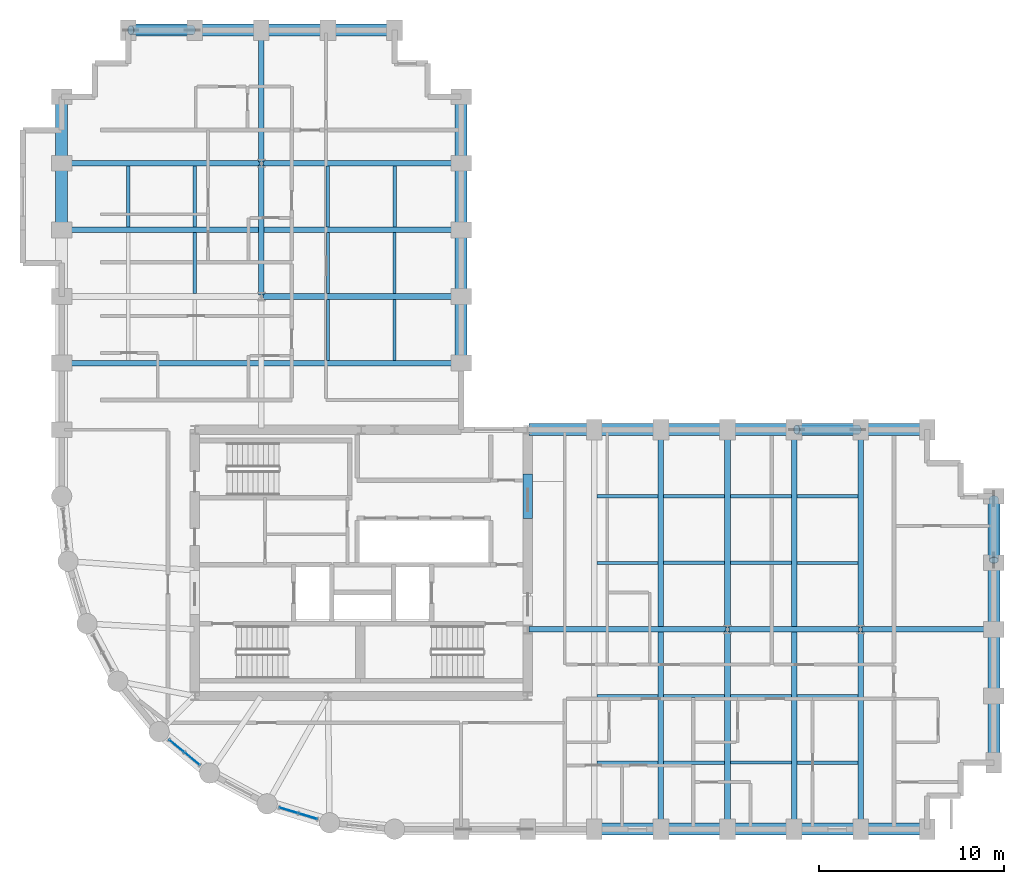
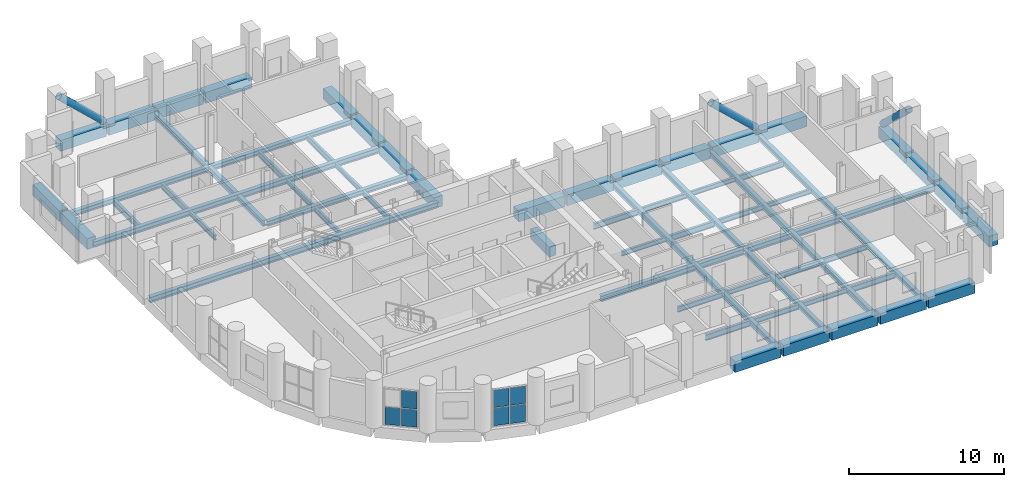
# One storey, part 6 of 13: 67 beams, 7 plates, 3 members, 2 elements without a shape of their own.
"""IFC4 building model written with IfcOpenShell, lengths in metres."""

from ifc_helpers import new_model, si_unit, direction, frame, origin, origin_2d, place, context, subcontext, project, spatial, rectangle, hollow_circle, i_section, extrude, material, layer, layer_set, material_profile, profile_set, type_object, element, aggregate, save


model = new_model("IFC4")

# Units and contexts
model_context = context("Model", 3, precision=1e-05, world=origin(), true_north=direction((0.0, 1.0)))
body_context = subcontext(model_context, "Body", "Model", "MODEL_VIEW")
ifc_project = project(units=[si_unit("LENGTHUNIT", "METRE"), si_unit("AREAUNIT", "SQUARE_METRE"), si_unit("VOLUMEUNIT", "CUBIC_METRE"), si_unit("PLANEANGLEUNIT", "RADIAN"), si_unit("MASSUNIT", "GRAM", prefix="KILO")], contexts=[model_context])

# Site, building, storey
site_placement = place(None, origin())
site = spatial("IfcSite", under=ifc_project, at=site_placement, CompositionType="ELEMENT")
building_placement = place(site_placement, origin())
building = spatial("IfcBuilding", under=site, at=building_placement, Name="Solnavia Interchange Tower", CompositionType="ELEMENT")
storey_placement = place(building_placement, frame((0.0, 0.0, 123.800048828125)))
storey = spatial("IfcBuildingStorey", under=building, at=storey_placement, Name="L30", CompositionType="ELEMENT", Elevation=123.800048828125)

# Beams
ifc_material_1 = material(Name="Concrete C50/60", Category="concrete")
ifc_material_profile_1 = material_profile(ifc_material_1, rectangle(XDim=0.5, YDim=0.800048828125, at=origin_2d()), Name="RC 500x800")
ifc_profile_set_1 = profile_set([ifc_material_profile_1], Name="Concrete C50/60")
beam_type_1 = type_object("IfcBeamType", Name="Beam-Coupling-RC500x800", PredefinedType="LINTEL", material=ifc_profile_set_1)
beam_1_placement = place(storey_placement, frame((32.39990234375, 20.39990234375, -0.400146484375), z_axis=(0.0, 1.0, 0.0), x_axis=(-1.0, 0.0, 0.0)))
element("IfcBeam", 1, at=beam_1_placement, inside=storey, type_object=beam_type_1, Name="CPB-L30-E2 Core coupling lintel beam", PredefinedType="LINTEL", context=body_context, shape_type="SweptSolid", body=[
    extrude(rectangle(XDim=0.5, YDim=0.800048828125, at=origin_2d()), origin(), (0.0, 0.0, 1.0), 2.400146484375),
])
ifc_material_2 = material(Name="Steel S460", Category="steel")
ifc_material_profile_2 = material_profile(ifc_material_2, i_section(OverallWidth=0.300048828125, OverallDepth=0.449951171875, WebThickness=0.013916015625, FlangeThickness=0.02587890625, FilletRadius=0.027099609375, at=origin_2d()), Name="HEB 450")
ifc_profile_set_2 = profile_set([ifc_material_profile_2], Name="Steel S460")
beam_type_2 = type_object("IfcBeamType", Name="Beam-Girder-HEB450", PredefinedType="BEAM", material=ifc_profile_set_2)
beam_2_placement = place(storey_placement, frame((32.47998046875, 14.39990234375, -0.47509765625), z_axis=(1.0, 0.0, 0.0), x_axis=(0.0, 1.0, 0.0)))
element("IfcBeam", 2, at=beam_2_placement, inside=storey, type_object=beam_type_2, Name="GRD-L30-ES01 East wing spine girder", PredefinedType="BEAM", context=body_context, shape_type="SweptSolid", body=[
    extrude(i_section(OverallWidth=0.300048828125, OverallDepth=0.449951171875, WebThickness=0.013916015625, FlangeThickness=0.02587890625, FilletRadius=0.027099609375, at=origin_2d()), origin(), (0.0, 0.0, 1.0), 10.64013671875),
])
for number, where, z_axis, x_axis, name in (
    (3, (43.280029296875, 14.39990234375, -0.47509765625), (1.0, 0.0, 0.0), (0.0, 1.0, 0.0), "GRD-L30-ES02 East wing spine girder"),
    (4, (50.47998046875, 14.39990234375, -0.47509765625), (1.0, 0.0, 0.0), (0.0, 1.0, 0.0), "GRD-L30-ES03 East wing spine girder"),
    (5, (18.0, 32.47998046875, -0.47509765625), (0.0, 1.0, 0.0), (-1.0, 0.0, 0.0), "GRD-L30-NS12 North wing spine girder"),
    (6, (18.0, 39.679931640625, -0.47509765625), (0.0, 1.0, 0.0), (-1.0, 0.0, 0.0), "GRD-L30-NS13 North wing spine girder"),
):
    element("IfcBeam", number, at=place(storey_placement, frame(where, z_axis=z_axis, x_axis=x_axis)), inside=storey, type_object=beam_type_2, Name=name, PredefinedType="BEAM", context=body_context, shape_type="SweptSolid", body=[
        extrude(i_section(OverallWidth=0.300048828125, OverallDepth=0.449951171875, WebThickness=0.013916015625, FlangeThickness=0.02587890625, FilletRadius=0.027099609375, at=origin_2d()), origin(), (0.0, 0.0, 1.0), 7.0400390625),
    ])
ifc_material_3 = material(Name="Steel S355", Category="steel")
ifc_material_profile_3 = material_profile(ifc_material_3, i_section(OverallWidth=0.169921875, OverallDepth=0.360107421875, WebThickness=0.008056640625, FlangeThickness=0.0126953125, FilletRadius=0.01806640625, at=origin_2d()), Name="IPE 360")
ifc_profile_set_3 = profile_set([ifc_material_profile_3], Name="Steel S355")
beam_type_3 = type_object("IfcBeamType", Name="Beam-Joist-IPE360", PredefinedType="JOIST", material=ifc_profile_set_3)
beam_3_placement = place(storey_placement, frame((43.35009765625, 7.199951171875, -0.429931640625), z_axis=(1.0, 0.0, 0.0), x_axis=(0.0, 1.0, 0.0)))
element("IfcBeam", 7, at=beam_3_placement, inside=storey, type_object=beam_type_3, Name="JST-L30-E03 East wing secondary joist", PredefinedType="JOIST", context=body_context, shape_type="SweptSolid", body=[
    extrude(i_section(OverallWidth=0.169921875, OverallDepth=0.360107421875, WebThickness=0.008056640625, FlangeThickness=0.0126953125, FilletRadius=0.01806640625, at=origin_2d()), origin(), (0.0, 0.0, 1.0), 3.2998046875),
])
for number, where, z_axis, x_axis, name in (
    (8, (39.75, 10.800048828125, -0.429931640625), (1.0, 0.0, 0.0), (0.0, 1.0, 0.0), "JST-L30-E06 East wing secondary joist"),
    (9, (36.14990234375, 18.0, -0.429931640625), (1.0, 0.0, 0.0), (0.0, 1.0, 0.0), "JST-L30-E09 East wing secondary joist"),
    (10, (46.949951171875, 18.0, -0.429931640625), (1.0, 0.0, 0.0), (0.0, 1.0, 0.0), "JST-L30-E12 East wing secondary joist"),
):
    element("IfcBeam", number, at=place(storey_placement, frame(where, z_axis=z_axis, x_axis=x_axis)), inside=storey, type_object=beam_type_3, Name=name, PredefinedType="JOIST", context=body_context, shape_type="SweptSolid", body=[
        extrude(i_section(OverallWidth=0.169921875, OverallDepth=0.360107421875, WebThickness=0.008056640625, FlangeThickness=0.0126953125, FilletRadius=0.01806640625, at=origin_2d()), origin(), (0.0, 0.0, 1.0), 3.300048828125),
    ])
beam_4_placement = place(storey_placement, frame((43.35009765625, 21.60009765625, -0.429931640625), z_axis=(1.0, 0.0, 0.0), x_axis=(0.0, 1.0, 0.0)))
element("IfcBeam", 11, at=beam_4_placement, inside=storey, type_object=beam_type_3, Name="JST-L30-E15 East wing secondary joist", PredefinedType="JOIST", context=body_context, shape_type="SweptSolid", body=[
    extrude(i_section(OverallWidth=0.169921875, OverallDepth=0.360107421875, WebThickness=0.008056640625, FlangeThickness=0.0126953125, FilletRadius=0.01806640625, at=origin_2d()), origin(), (0.0, 0.0, 1.0), 3.2998046875),
])
for number, where, z_axis, x_axis, name in (
    (12, (14.39990234375, 32.550048828125, -0.429931640625), (0.0, 1.0, 0.0), (-1.0, 0.0, 0.0), "JST-L30-N21 North wing secondary joist"),
    (13, (21.60009765625, 32.550048828125, -0.429931640625), (0.0, 1.0, 0.0), (-1.0, 0.0, 0.0), "JST-L30-N24 North wing secondary joist"),
    (14, (25.199951171875, 32.550048828125, -0.429931640625), (0.0, 1.0, 0.0), (-1.0, 0.0, 0.0), "JST-L30-N27 North wing secondary joist"),
):
    element("IfcBeam", number, at=place(storey_placement, frame(where, z_axis=z_axis, x_axis=x_axis)), inside=storey, type_object=beam_type_3, Name=name, PredefinedType="JOIST", context=body_context, shape_type="SweptSolid", body=[
        extrude(i_section(OverallWidth=0.169921875, OverallDepth=0.360107421875, WebThickness=0.008056640625, FlangeThickness=0.0126953125, FilletRadius=0.01806640625, at=origin_2d()), origin(), (0.0, 0.0, 1.0), 3.300048828125),
    ])
ifc_material_profile_4 = material_profile(ifc_material_3, i_section(OverallWidth=0.179931640625, OverallDepth=0.39990234375, WebThickness=0.008544921875, FlangeThickness=0.013427734375, FilletRadius=0.02099609375, at=origin_2d()), Name="IPE 400")
ifc_profile_set_4 = profile_set([ifc_material_profile_4], Name="Steel S355")
beam_type_4 = type_object("IfcBeamType", Name="Beam-Joist-IPE400", PredefinedType="JOIST", material=ifc_profile_set_4)
for number, where, z_axis, x_axis, name in (
    (15, (39.75, 7.199951171875, -0.449951171875), (1.0, 0.0, 0.0), (0.0, 1.0, 0.0), "JST-L30-E02 East wing secondary joist"),
    (16, (36.14990234375, 10.800048828125, -0.449951171875), (1.0, 0.0, 0.0), (0.0, 1.0, 0.0), "JST-L30-E05 East wing secondary joist"),
    (17, (46.949951171875, 10.800048828125, -0.449951171875), (1.0, 0.0, 0.0), (0.0, 1.0, 0.0), "JST-L30-E08 East wing secondary joist"),
):
    element("IfcBeam", number, at=place(storey_placement, frame(where, z_axis=z_axis, x_axis=x_axis)), inside=storey, type_object=beam_type_4, Name=name, PredefinedType="JOIST", context=body_context, shape_type="SweptSolid", body=[
        extrude(i_section(OverallWidth=0.179931640625, OverallDepth=0.39990234375, WebThickness=0.008544921875, FlangeThickness=0.013427734375, FilletRadius=0.02099609375, at=origin_2d()), origin(), (0.0, 0.0, 1.0), 3.300048828125),
    ])
beam_5_placement = place(storey_placement, frame((43.35009765625, 18.0, -0.449951171875), z_axis=(1.0, 0.0, 0.0), x_axis=(0.0, 1.0, 0.0)))
element("IfcBeam", 18, at=beam_5_placement, inside=storey, type_object=beam_type_4, Name="JST-L30-E11 East wing secondary joist", PredefinedType="JOIST", context=body_context, shape_type="SweptSolid", body=[
    extrude(i_section(OverallWidth=0.179931640625, OverallDepth=0.39990234375, WebThickness=0.008544921875, FlangeThickness=0.013427734375, FilletRadius=0.02099609375, at=origin_2d()), origin(), (0.0, 0.0, 1.0), 3.2998046875),
])
for number, where, z_axis, x_axis, name in (
    (19, (39.75, 21.60009765625, -0.449951171875), (1.0, 0.0, 0.0), (0.0, 1.0, 0.0), "JST-L30-E14 East wing secondary joist"),
    (20, (21.60009765625, 28.949951171875, -0.449951171875), (0.0, 1.0, 0.0), (-1.0, 0.0, 0.0), "JST-L30-N23 North wing secondary joist"),
    (21, (25.199951171875, 28.949951171875, -0.449951171875), (0.0, 1.0, 0.0), (-1.0, 0.0, 0.0), "JST-L30-N26 North wing secondary joist"),
):
    element("IfcBeam", number, at=place(storey_placement, frame(where, z_axis=z_axis, x_axis=x_axis)), inside=storey, type_object=beam_type_4, Name=name, PredefinedType="JOIST", context=body_context, shape_type="SweptSolid", body=[
        extrude(i_section(OverallWidth=0.179931640625, OverallDepth=0.39990234375, WebThickness=0.008544921875, FlangeThickness=0.013427734375, FilletRadius=0.02099609375, at=origin_2d()), origin(), (0.0, 0.0, 1.0), 3.300048828125),
    ])
ifc_material_profile_5 = material_profile(ifc_material_3, i_section(OverallWidth=0.18994140625, OverallDepth=0.449951171875, WebThickness=0.009521484375, FlangeThickness=0.0146484375, FilletRadius=0.02099609375, at=origin_2d()), Name="IPE 450")
ifc_profile_set_5 = profile_set([ifc_material_profile_5], Name="Steel S355")
beam_type_5 = type_object("IfcBeamType", Name="Beam-Joist-IPE450", PredefinedType="JOIST", material=ifc_profile_set_5)
for number, where, z_axis, x_axis, name in (
    (22, (36.14990234375, 7.199951171875, -0.47509765625), (1.0, 0.0, 0.0), (0.0, 1.0, 0.0), "JST-L30-E01 East wing secondary joist"),
    (23, (46.949951171875, 7.199951171875, -0.47509765625), (1.0, 0.0, 0.0), (0.0, 1.0, 0.0), "JST-L30-E04 East wing secondary joist"),
):
    element("IfcBeam", number, at=place(storey_placement, frame(where, z_axis=z_axis, x_axis=x_axis)), inside=storey, type_object=beam_type_5, Name=name, PredefinedType="JOIST", context=body_context, shape_type="SweptSolid", body=[
        extrude(i_section(OverallWidth=0.18994140625, OverallDepth=0.449951171875, WebThickness=0.009521484375, FlangeThickness=0.0146484375, FilletRadius=0.02099609375, at=origin_2d()), origin(), (0.0, 0.0, 1.0), 3.300048828125),
    ])
beam_6_placement = place(storey_placement, frame((43.35009765625, 10.800048828125, -0.47509765625), z_axis=(1.0, 0.0, 0.0), x_axis=(0.0, 1.0, 0.0)))
element("IfcBeam", 24, at=beam_6_placement, inside=storey, type_object=beam_type_5, Name="JST-L30-E07 East wing secondary joist", PredefinedType="JOIST", context=body_context, shape_type="SweptSolid", body=[
    extrude(i_section(OverallWidth=0.18994140625, OverallDepth=0.449951171875, WebThickness=0.009521484375, FlangeThickness=0.0146484375, FilletRadius=0.02099609375, at=origin_2d()), origin(), (0.0, 0.0, 1.0), 3.2998046875),
])
for number, where, z_axis, x_axis, name in (
    (25, (39.75, 18.0, -0.47509765625), (1.0, 0.0, 0.0), (0.0, 1.0, 0.0), "JST-L30-E10 East wing secondary joist"),
    (26, (36.14990234375, 21.60009765625, -0.47509765625), (1.0, 0.0, 0.0), (0.0, 1.0, 0.0), "JST-L30-E13 East wing secondary joist"),
    (27, (46.949951171875, 21.60009765625, -0.47509765625), (1.0, 0.0, 0.0), (0.0, 1.0, 0.0), "JST-L30-E16 East wing secondary joist"),
    (28, (10.800048828125, 36.14990234375, -0.47509765625), (0.0, 1.0, 0.0), (-1.0, 0.0, 0.0), "JST-L30-N19 North wing secondary joist"),
    (29, (14.39990234375, 36.14990234375, -0.47509765625), (0.0, 1.0, 0.0), (-1.0, 0.0, 0.0), "JST-L30-N22 North wing secondary joist"),
    (30, (21.60009765625, 36.14990234375, -0.47509765625), (0.0, 1.0, 0.0), (-1.0, 0.0, 0.0), "JST-L30-N25 North wing secondary joist"),
    (31, (25.199951171875, 36.14990234375, -0.47509765625), (0.0, 1.0, 0.0), (-1.0, 0.0, 0.0), "JST-L30-N28 North wing secondary joist"),
):
    element("IfcBeam", number, at=place(storey_placement, frame(where, z_axis=z_axis, x_axis=x_axis)), inside=storey, type_object=beam_type_5, Name=name, PredefinedType="JOIST", context=body_context, shape_type="SweptSolid", body=[
        extrude(i_section(OverallWidth=0.18994140625, OverallDepth=0.449951171875, WebThickness=0.009521484375, FlangeThickness=0.0146484375, FilletRadius=0.02099609375, at=origin_2d()), origin(), (0.0, 0.0, 1.0), 3.300048828125),
    ])
ifc_material_profile_6 = material_profile(ifc_material_3, i_section(OverallWidth=0.300048828125, OverallDepth=0.389892578125, WebThickness=0.010986328125, FlangeThickness=0.01904296875, FilletRadius=0.027099609375, at=origin_2d()), Name="HEA 400")
ifc_profile_set_6 = profile_set([ifc_material_profile_6], Name="Steel S355")
beam_type_6 = type_object("IfcBeamType", Name="Beam-Primary-HEA400", PredefinedType="BEAM", material=ifc_profile_set_6)
for number, where, z_axis, x_axis, name in (
    (32, (43.199951171875, 3.679931640625, -0.445068359375), (0.0, 1.0, 0.0), (-1.0, 0.0, 0.0), "GRD-L30-EW06 East wing primary floor girder"),
    (33, (43.199951171875, 14.47998046875, -0.445068359375), (0.0, 1.0, 0.0), (-1.0, 0.0, 0.0), "GRD-L30-EW07 East wing primary floor girder"),
    (34, (50.39990234375, 3.679931640625, -0.445068359375), (0.0, 1.0, 0.0), (-1.0, 0.0, 0.0), "GRD-L30-EW09 East wing primary floor girder"),
    (35, (50.39990234375, 14.47998046875, -0.445068359375), (0.0, 1.0, 0.0), (-1.0, 0.0, 0.0), "GRD-L30-EW10 East wing primary floor girder"),
):
    element("IfcBeam", number, at=place(storey_placement, frame(where, z_axis=z_axis, x_axis=x_axis)), inside=storey, type_object=beam_type_6, Name=name, PredefinedType="BEAM", context=body_context, shape_type="SweptSolid", body=[
        extrude(i_section(OverallWidth=0.300048828125, OverallDepth=0.389892578125, WebThickness=0.010986328125, FlangeThickness=0.01904296875, FilletRadius=0.027099609375, at=origin_2d()), origin(), (0.0, 0.0, 1.0), 10.64013671875),
    ])
for number, where, z_axis, x_axis, name in (
    (36, (18.080078125, 32.39990234375, -0.445068359375), (1.0, 0.0, 0.0), (0.0, 1.0, 0.0), "GRD-L30-NW16 North wing primary floor girder"),
    (37, (7.280029296875, 39.60009765625, -0.445068359375), (1.0, 0.0, 0.0), (0.0, 1.0, 0.0), "GRD-L30-NW18 North wing primary floor girder"),
    (38, (18.080078125, 39.60009765625, -0.445068359375), (1.0, 0.0, 0.0), (0.0, 1.0, 0.0), "GRD-L30-NW19 North wing primary floor girder"),
):
    element("IfcBeam", number, at=place(storey_placement, frame(where, z_axis=z_axis, x_axis=x_axis)), inside=storey, type_object=beam_type_6, Name=name, PredefinedType="BEAM", context=body_context, shape_type="SweptSolid", body=[
        extrude(i_section(OverallWidth=0.300048828125, OverallDepth=0.389892578125, WebThickness=0.010986328125, FlangeThickness=0.01904296875, FilletRadius=0.027099609375, at=origin_2d()), origin(), (0.0, 0.0, 1.0), 10.639892578125),
    ])
ifc_material_profile_7 = material_profile(ifc_material_3, i_section(OverallWidth=0.300048828125, OverallDepth=0.43994140625, WebThickness=0.011474609375, FlangeThickness=0.02099609375, FilletRadius=0.027099609375, at=origin_2d()), Name="HEA 450")
ifc_profile_set_7 = profile_set([ifc_material_profile_7], Name="Steel S355")
beam_type_7 = type_object("IfcBeamType", Name="Beam-Primary-HEA450", PredefinedType="BEAM", material=ifc_profile_set_7)
for number, where, z_axis, x_axis, name in (
    (39, (39.60009765625, 3.679931640625, -0.469970703125), (0.0, 1.0, 0.0), (-1.0, 0.0, 0.0), "GRD-L30-EW05 East wing primary floor girder"),
    (40, (46.800048828125, 3.679931640625, -0.469970703125), (0.0, 1.0, 0.0), (-1.0, 0.0, 0.0), "GRD-L30-EW08 East wing primary floor girder"),
):
    element("IfcBeam", number, at=place(storey_placement, frame(where, z_axis=z_axis, x_axis=x_axis)), inside=storey, type_object=beam_type_7, Name=name, PredefinedType="BEAM", context=body_context, shape_type="SweptSolid", body=[
        extrude(i_section(OverallWidth=0.300048828125, OverallDepth=0.43994140625, WebThickness=0.011474609375, FlangeThickness=0.02099609375, FilletRadius=0.027099609375, at=origin_2d()), origin(), (0.0, 0.0, 1.0), 21.440185546875),
    ])
for number, where, z_axis, x_axis, name in (
    (41, (7.280029296875, 28.800048828125, -0.469970703125), (1.0, 0.0, 0.0), (0.0, 1.0, 0.0), "GRD-L30-NW14 North wing primary floor girder"),
    (42, (7.280029296875, 36.0, -0.469970703125), (1.0, 0.0, 0.0), (0.0, 1.0, 0.0), "GRD-L30-NW17 North wing primary floor girder"),
):
    element("IfcBeam", number, at=place(storey_placement, frame(where, z_axis=z_axis, x_axis=x_axis)), inside=storey, type_object=beam_type_7, Name=name, PredefinedType="BEAM", context=body_context, shape_type="SweptSolid", body=[
        extrude(i_section(OverallWidth=0.300048828125, OverallDepth=0.43994140625, WebThickness=0.011474609375, FlangeThickness=0.02099609375, FilletRadius=0.027099609375, at=origin_2d()), origin(), (0.0, 0.0, 1.0), 21.43994140625),
    ])
ifc_material_profile_8 = material_profile(ifc_material_1, rectangle(XDim=0.64990234375, YDim=0.85009765625, at=origin_2d()), Name="RC 650x850")
ifc_profile_set_8 = profile_set([ifc_material_profile_8], Name="Concrete C50/60")
beam_type_8 = type_object("IfcBeamType", Name="Beam-Spandrel-RC650x850", PredefinedType="SPANDREL", material=ifc_profile_set_8)
beam_7_placement = place(storey_placement, frame((36.080078125, 3.60009765625, -0.425048828125), z_axis=(1.0, 0.0, 0.0), x_axis=(0.0, 1.0, 0.0)))
element("IfcBeam", 43, at=beam_7_placement, inside=storey, type_object=beam_type_8, Name="SPB-L30-12 Framed-tube perimeter spandrel beam", PredefinedType="SPANDREL", context=body_context, shape_type="SweptSolid", body=[
    extrude(rectangle(XDim=0.64990234375, YDim=0.85009765625, at=origin_2d()), origin(), (0.0, 0.0, 1.0), 3.43994140625),
])
beam_8_placement = place(storey_placement, frame((39.679931640625, 3.60009765625, -0.425048828125), z_axis=(1.0, 0.0, 0.0), x_axis=(0.0, 1.0, 0.0)))
element("IfcBeam", 44, at=beam_8_placement, inside=storey, type_object=beam_type_8, Name="SPB-L30-13 Framed-tube perimeter spandrel beam", PredefinedType="SPANDREL", context=body_context, shape_type="SweptSolid", body=[
    extrude(rectangle(XDim=0.64990234375, YDim=0.85009765625, at=origin_2d()), origin(), (0.0, 0.0, 1.0), 3.440185546875),
])
beam_9_placement = place(storey_placement, frame((43.280029296875, 3.60009765625, -0.425048828125), z_axis=(1.0, 0.0, 0.0), x_axis=(0.0, 1.0, 0.0)))
element("IfcBeam", 45, at=beam_9_placement, inside=storey, type_object=beam_type_8, Name="SPB-L30-14 Framed-tube perimeter spandrel beam", PredefinedType="SPANDREL", context=body_context, shape_type="SweptSolid", body=[
    extrude(rectangle(XDim=0.64990234375, YDim=0.85009765625, at=origin_2d()), origin(), (0.0, 0.0, 1.0), 3.43994140625),
])
beam_10_placement = place(storey_placement, frame((46.8798828125, 3.60009765625, -0.425048828125), z_axis=(1.0, 0.0, 0.0), x_axis=(0.0, 1.0, 0.0)))
element("IfcBeam", 46, at=beam_10_placement, inside=storey, type_object=beam_type_8, Name="SPB-L30-15 Framed-tube perimeter spandrel beam", PredefinedType="SPANDREL", context=body_context, shape_type="SweptSolid", body=[
    extrude(rectangle(XDim=0.64990234375, YDim=0.85009765625, at=origin_2d()), origin(), (0.0, 0.0, 1.0), 3.440185546875),
])
for number, where, z_axis, x_axis, name in (
    (47, (50.47998046875, 3.60009765625, -0.425048828125), (1.0, 0.0, 0.0), (0.0, 1.0, 0.0), "SPB-L30-16 Framed-tube perimeter spandrel beam"),
    (48, (57.60009765625, 7.280029296875, -0.425048828125), (0.0, 1.0, 0.0), (-1.0, 0.0, 0.0), "SPB-L30-17 Framed-tube perimeter spandrel beam"),
):
    element("IfcBeam", number, at=place(storey_placement, frame(where, z_axis=z_axis, x_axis=x_axis)), inside=storey, type_object=beam_type_8, Name=name, PredefinedType="SPANDREL", context=body_context, shape_type="SweptSolid", body=[
        extrude(rectangle(XDim=0.64990234375, YDim=0.85009765625, at=origin_2d()), origin(), (0.0, 0.0, 1.0), 3.43994140625),
    ])
beam_11_placement = place(storey_placement, frame((57.60009765625, 10.8798828125, -0.425048828125), z_axis=(0.0, 1.0, 0.0), x_axis=(-1.0, 0.0, 0.0)))
element("IfcBeam", 49, at=beam_11_placement, inside=storey, type_object=beam_type_8, Name="SPB-L30-18 Framed-tube perimeter spandrel beam", PredefinedType="SPANDREL", context=body_context, shape_type="SweptSolid", body=[
    extrude(rectangle(XDim=0.64990234375, YDim=0.85009765625, at=origin_2d()), origin(), (0.0, 0.0, 1.0), 3.440185546875),
])
for number, where, z_axis, x_axis, name in (
    (50, (57.60009765625, 14.47998046875, -0.425048828125), (0.0, 1.0, 0.0), (-1.0, 0.0, 0.0), "SPB-L30-19 Framed-tube perimeter spandrel beam"),
    (51, (57.60009765625, 18.080078125, -0.425048828125), (0.0, 1.0, 0.0), (-1.0, 0.0, 0.0), "SPB-L30-20 Framed-tube perimeter spandrel beam"),
    (52, (53.919921875, 25.199951171875, -0.425048828125), (-1.0, 0.0, 0.0), (0.0, -1.0, 0.0), "SPB-L30-21 Framed-tube perimeter spandrel beam"),
):
    element("IfcBeam", number, at=place(storey_placement, frame(where, z_axis=z_axis, x_axis=x_axis)), inside=storey, type_object=beam_type_8, Name=name, PredefinedType="SPANDREL", context=body_context, shape_type="SweptSolid", body=[
        extrude(rectangle(XDim=0.64990234375, YDim=0.85009765625, at=origin_2d()), origin(), (0.0, 0.0, 1.0), 3.43994140625),
    ])
beam_12_placement = place(storey_placement, frame((50.320068359375, 25.199951171875, -0.425048828125), z_axis=(-1.0, 0.0, 0.0), x_axis=(0.0, -1.0, 0.0)))
element("IfcBeam", 53, at=beam_12_placement, inside=storey, type_object=beam_type_8, Name="SPB-L30-22 Framed-tube perimeter spandrel beam", PredefinedType="SPANDREL", context=body_context, shape_type="SweptSolid", body=[
    extrude(rectangle(XDim=0.64990234375, YDim=0.85009765625, at=origin_2d()), origin(), (0.0, 0.0, 1.0), 3.440185546875),
])
beam_13_placement = place(storey_placement, frame((46.719970703125, 25.199951171875, -0.425048828125), z_axis=(-1.0, 0.0, 0.0), x_axis=(0.0, -1.0, 0.0)))
element("IfcBeam", 54, at=beam_13_placement, inside=storey, type_object=beam_type_8, Name="SPB-L30-23 Framed-tube perimeter spandrel beam", PredefinedType="SPANDREL", context=body_context, shape_type="SweptSolid", body=[
    extrude(rectangle(XDim=0.64990234375, YDim=0.85009765625, at=origin_2d()), origin(), (0.0, 0.0, 1.0), 3.43994140625),
])
beam_14_placement = place(storey_placement, frame((43.1201171875, 25.199951171875, -0.425048828125), z_axis=(-1.0, 0.0, 0.0), x_axis=(0.0, -1.0, 0.0)))
element("IfcBeam", 55, at=beam_14_placement, inside=storey, type_object=beam_type_8, Name="SPB-L30-24 Framed-tube perimeter spandrel beam", PredefinedType="SPANDREL", context=body_context, shape_type="SweptSolid", body=[
    extrude(rectangle(XDim=0.64990234375, YDim=0.85009765625, at=origin_2d()), origin(), (0.0, 0.0, 1.0), 3.440185546875),
])
for number, where, z_axis, x_axis, name in (
    (56, (39.52001953125, 25.199951171875, -0.425048828125), (-1.0, 0.0, 0.0), (0.0, -1.0, 0.0), "SPB-L30-25 Framed-tube perimeter spandrel beam"),
    (57, (35.919921875, 25.199951171875, -0.425048828125), (-1.0, 0.0, 0.0), (0.0, -1.0, 0.0), "SPB-L30-26 Framed-tube perimeter spandrel beam"),
):
    element("IfcBeam", number, at=place(storey_placement, frame(where, z_axis=z_axis, x_axis=x_axis)), inside=storey, type_object=beam_type_8, Name=name, PredefinedType="SPANDREL", context=body_context, shape_type="SweptSolid", body=[
        extrude(rectangle(XDim=0.64990234375, YDim=0.85009765625, at=origin_2d()), origin(), (0.0, 0.0, 1.0), 3.43994140625),
    ])
beam_15_placement = place(storey_placement, frame((28.800048828125, 28.8798828125, -0.425048828125), z_axis=(0.0, 1.0, 0.0), x_axis=(-1.0, 0.0, 0.0)))
element("IfcBeam", 58, at=beam_15_placement, inside=storey, type_object=beam_type_8, Name="SPB-L30-27 Framed-tube perimeter spandrel beam", PredefinedType="SPANDREL", context=body_context, shape_type="SweptSolid", body=[
    extrude(rectangle(XDim=0.64990234375, YDim=0.85009765625, at=origin_2d()), origin(), (0.0, 0.0, 1.0), 3.440185546875),
])
for number, where, z_axis, x_axis, name in (
    (59, (28.800048828125, 32.47998046875, -0.425048828125), (0.0, 1.0, 0.0), (-1.0, 0.0, 0.0), "SPB-L30-28 Framed-tube perimeter spandrel beam"),
    (60, (28.800048828125, 36.080078125, -0.425048828125), (0.0, 1.0, 0.0), (-1.0, 0.0, 0.0), "SPB-L30-29 Framed-tube perimeter spandrel beam"),
):
    element("IfcBeam", number, at=place(storey_placement, frame(where, z_axis=z_axis, x_axis=x_axis)), inside=storey, type_object=beam_type_8, Name=name, PredefinedType="SPANDREL", context=body_context, shape_type="SweptSolid", body=[
        extrude(rectangle(XDim=0.64990234375, YDim=0.85009765625, at=origin_2d()), origin(), (0.0, 0.0, 1.0), 3.43994140625),
    ])
for number, where, z_axis, x_axis, name in (
    (61, (28.800048828125, 39.679931640625, -0.425048828125), (0.0, 1.0, 0.0), (-1.0, 0.0, 0.0), "SPB-L30-30 Framed-tube perimeter spandrel beam"),
    (62, (25.1201171875, 46.800048828125, -0.425048828125), (-1.0, 0.0, 0.0), (0.0, -1.0, 0.0), "SPB-L30-31 Framed-tube perimeter spandrel beam"),
):
    element("IfcBeam", number, at=place(storey_placement, frame(where, z_axis=z_axis, x_axis=x_axis)), inside=storey, type_object=beam_type_8, Name=name, PredefinedType="SPANDREL", context=body_context, shape_type="SweptSolid", body=[
        extrude(rectangle(XDim=0.64990234375, YDim=0.85009765625, at=origin_2d()), origin(), (0.0, 0.0, 1.0), 3.440185546875),
    ])
for number, where, z_axis, x_axis, name in (
    (63, (21.52001953125, 46.800048828125, -0.425048828125), (-1.0, 0.0, 0.0), (0.0, -1.0, 0.0), "SPB-L30-32 Framed-tube perimeter spandrel beam"),
    (64, (17.919921875, 46.800048828125, -0.425048828125), (-1.0, 0.0, 0.0), (0.0, -1.0, 0.0), "SPB-L30-33 Framed-tube perimeter spandrel beam"),
):
    element("IfcBeam", number, at=place(storey_placement, frame(where, z_axis=z_axis, x_axis=x_axis)), inside=storey, type_object=beam_type_8, Name=name, PredefinedType="SPANDREL", context=body_context, shape_type="SweptSolid", body=[
        extrude(rectangle(XDim=0.64990234375, YDim=0.85009765625, at=origin_2d()), origin(), (0.0, 0.0, 1.0), 3.43994140625),
    ])
for number, where, z_axis, x_axis, name in (
    (65, (14.320068359375, 46.800048828125, -0.425048828125), (-1.0, 0.0, 0.0), (0.0, -1.0, 0.0), "SPB-L30-34 Framed-tube perimeter spandrel beam"),
    (66, (7.199951171875, 43.1201171875, -0.425048828125), (0.0, -1.0, 0.0), (1.0, 0.0, 0.0), "SPB-L30-35 Framed-tube perimeter spandrel beam"),
):
    element("IfcBeam", number, at=place(storey_placement, frame(where, z_axis=z_axis, x_axis=x_axis)), inside=storey, type_object=beam_type_8, Name=name, PredefinedType="SPANDREL", context=body_context, shape_type="SweptSolid", body=[
        extrude(rectangle(XDim=0.64990234375, YDim=0.85009765625, at=origin_2d()), origin(), (0.0, 0.0, 1.0), 3.440185546875),
    ])
beam_16_placement = place(storey_placement, frame((7.199951171875, 39.52001953125, -0.425048828125), z_axis=(0.0, -1.0, 0.0), x_axis=(1.0, 0.0, 0.0)))
element("IfcBeam", 67, at=beam_16_placement, inside=storey, type_object=beam_type_8, Name="SPB-L30-36 Framed-tube perimeter spandrel beam", PredefinedType="SPANDREL", context=body_context, shape_type="SweptSolid", body=[
    extrude(rectangle(XDim=0.64990234375, YDim=0.85009765625, at=origin_2d()), origin(), (0.0, 0.0, 1.0), 3.43994140625),
])

# Members
ifc_material_profile_9 = material_profile(ifc_material_2, hollow_circle(Radius=0.25390625, WallThickness=0.02490234375, at=origin_2d()), Name="CHS 508x25")
ifc_profile_set_9 = profile_set([ifc_material_profile_9], Name="Steel S460")
member_type = type_object("IfcMemberType", Name="Brace-Perim-CHS508", PredefinedType="BRACE", material=ifc_profile_set_9)
for number, where, z_axis, x_axis, name in (
    (68, (57.60009765625, 21.4599609375, 0.179931640625), (0.0, -0.728709492854, 0.68482295159), (1.0, 0.0, 0.0), "BRC-L30-02 Perimeter tube diagonal brace"),
    (69, (14.260009765625, 46.800048828125, 0.179931640625), (-0.728709492854, 0.0, 0.68482295159), (0.0, -1.0, 0.0), "BRC-L30-03 Perimeter tube diagonal brace"),
    (70, (50.260009765625, 25.199951171875, 0.179931640625), (-0.728709492854, 0.0, 0.68482295159), (0.0, -1.0, 0.0), "BRC-L30-04 Perimeter tube diagonal brace"),
):
    element("IfcMember", number, at=place(storey_placement, frame(where, z_axis=z_axis, x_axis=x_axis)), inside=storey, type_object=member_type, Name=name, PredefinedType="BRACE", context=body_context, shape_type="SweptSolid", body=[
        extrude(hollow_circle(Radius=0.25390625, WallThickness=0.02490234375, at=origin_2d()), origin(), (0.0, 0.0, 1.0), 4.55615234375),
    ])

# Curtain wall, plates
ifc_material_4 = material(Name="Aluminium Alloy 6063-T6", Category="aluminium")
ifc_layer_1 = layer(ifc_material_4, 0.239990234375)
ifc_layer_set_1 = layer_set([ifc_layer_1], Name="Aluminium Alloy 6063-T6")
curtain_wall_type = type_object("IfcCurtainWallType", Name="CurtainWall-Drum-CTW2", PredefinedType="NOTDEFINED", material=ifc_layer_set_1)
curtain_wall_1_placement = place(storey_placement, origin())
curtain_wall_1 = element("IfcCurtainWall", 71, at=curtain_wall_1_placement, inside=storey, type_object=curtain_wall_type, Name="CTW-L30-D59 CTW-2 curtain wall", PredefinedType="NOTDEFINED")
ifc_material_5 = material(Name="Double-Glazed Low-E IGU Glass", Category="glass")
ifc_layer_2 = layer(ifc_material_5, 0.031982421875)
ifc_layer_set_2 = layer_set([ifc_layer_2], Name="Double-Glazed Low-E IGU Glass")
plate_type = type_object("IfcPlateType", Name="CW-Panel-Solar-32", PredefinedType="CURTAIN_PANEL", material=ifc_layer_set_2)
plate_1_placement = place(storey_placement, frame((13.4150390625, 8.098388671875, 0.06494140625), z_axis=(0.0, 0.0, 1.0), x_axis=(0.773094572227, -0.634290771172, 0.0)))
plate_1 = element("IfcPlate", 72, at=plate_1_placement, type_object=plate_type, Name="CTW-2 panel 1.1", PredefinedType="CURTAIN_PANEL", context=body_context, shape_type="SweptSolid", body=[
    extrude(rectangle(XDim=1.01416015625, YDim=0.031982421875, at=origin_2d()), origin(), (0.0, 0.0, 1.0), 1.367431640625),
])
plate_2_placement = place(storey_placement, frame((14.257080078125, 7.407470703125, 0.06494140625), z_axis=(0.0, 0.0, 1.0), x_axis=(0.773094572227, -0.634290771172, 0.0)))
plate_2 = element("IfcPlate", 73, at=plate_2_placement, type_object=plate_type, Name="CTW-2 panel 2.1", PredefinedType="CURTAIN_PANEL", context=body_context, shape_type="SweptSolid", body=[
    extrude(rectangle(XDim=1.01416015625, YDim=0.031982421875, at=origin_2d()), origin(), (0.0, 0.0, 1.0), 1.367431640625),
])
plate_3_placement = place(storey_placement, frame((14.257080078125, 7.407470703125, 1.49755859375), z_axis=(0.0, 0.0, 1.0), x_axis=(0.773094572227, -0.634290771172, 0.0)))
plate_3 = element("IfcPlate", 74, at=plate_3_placement, type_object=plate_type, Name="CTW-2 panel 2.2", PredefinedType="CURTAIN_PANEL", context=body_context, shape_type="SweptSolid", body=[
    extrude(rectangle(XDim=1.01416015625, YDim=0.031982421875, at=origin_2d()), origin(), (0.0, 0.0, 1.0), 1.367431640625),
])
aggregate(curtain_wall_1, [plate_1, plate_2, plate_3])

curtain_wall_2_placement = place(storey_placement, origin())
curtain_wall_2 = element("IfcCurtainWall", 75, at=curtain_wall_2_placement, inside=storey, type_object=curtain_wall_type, Name="CTW-L30-D61 CTW-2 curtain wall", PredefinedType="NOTDEFINED")
plate_4_placement = place(storey_placement, frame((19.47900390625, 4.615966796875, 0.06494140625), z_axis=(0.0, 0.0, 1.0), x_axis=(0.956934759739, -0.290303058206, 0.0)))
plate_4 = element("IfcPlate", 76, at=plate_4_placement, type_object=plate_type, Name="CTW-2 panel 1.1", PredefinedType="CURTAIN_PANEL", context=body_context, shape_type="SweptSolid", body=[
    extrude(rectangle(XDim=1.013916015625, YDim=0.031982421875, at=origin_2d()), origin(), (0.0, 0.0, 1.0), 1.367431640625),
])
plate_5_placement = place(storey_placement, frame((19.47900390625, 4.615966796875, 1.49755859375), z_axis=(0.0, 0.0, 1.0), x_axis=(0.956934759739, -0.290303058206, 0.0)))
plate_5 = element("IfcPlate", 77, at=plate_5_placement, type_object=plate_type, Name="CTW-2 panel 1.2", PredefinedType="CURTAIN_PANEL", context=body_context, shape_type="SweptSolid", body=[
    extrude(rectangle(XDim=1.013916015625, YDim=0.031982421875, at=origin_2d()), origin(), (0.0, 0.0, 1.0), 1.367431640625),
])
plate_6_placement = place(storey_placement, frame((20.52099609375, 4.300048828125, 0.06494140625), z_axis=(0.0, 0.0, 1.0), x_axis=(0.956934759739, -0.290303058206, 0.0)))
plate_6 = element("IfcPlate", 78, at=plate_6_placement, type_object=plate_type, Name="CTW-2 panel 2.1", PredefinedType="CURTAIN_PANEL", context=body_context, shape_type="SweptSolid", body=[
    extrude(rectangle(XDim=1.013916015625, YDim=0.031982421875, at=origin_2d()), origin(), (0.0, 0.0, 1.0), 1.367431640625),
])
plate_7_placement = place(storey_placement, frame((20.52099609375, 4.300048828125, 1.49755859375), z_axis=(0.0, 0.0, 1.0), x_axis=(0.956934759739, -0.290303058206, 0.0)))
plate_7 = element("IfcPlate", 79, at=plate_7_placement, type_object=plate_type, Name="CTW-2 panel 2.2", PredefinedType="CURTAIN_PANEL", context=body_context, shape_type="SweptSolid", body=[
    extrude(rectangle(XDim=1.013916015625, YDim=0.031982421875, at=origin_2d()), origin(), (0.0, 0.0, 1.0), 1.367431640625),
])
aggregate(curtain_wall_2, [plate_4, plate_5, plate_6, plate_7])

save(model, "model.ifc")
